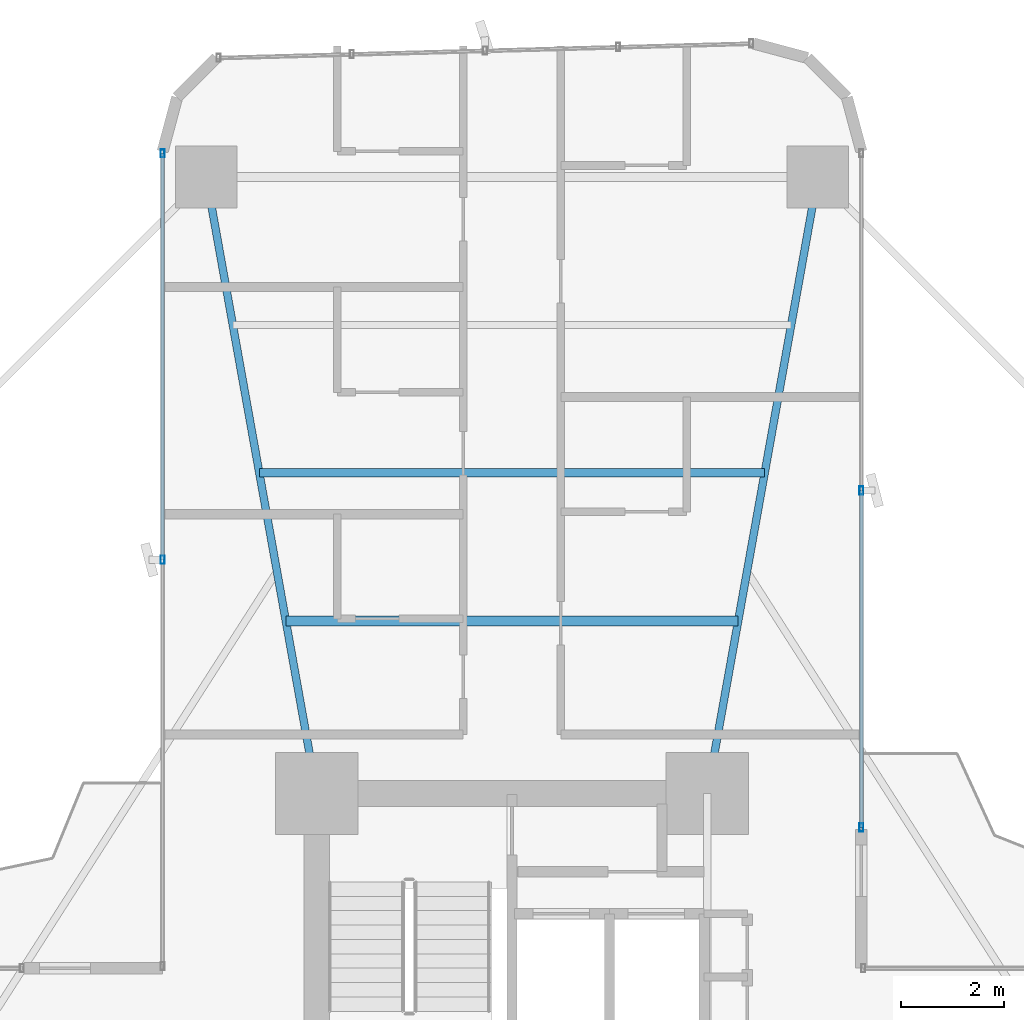
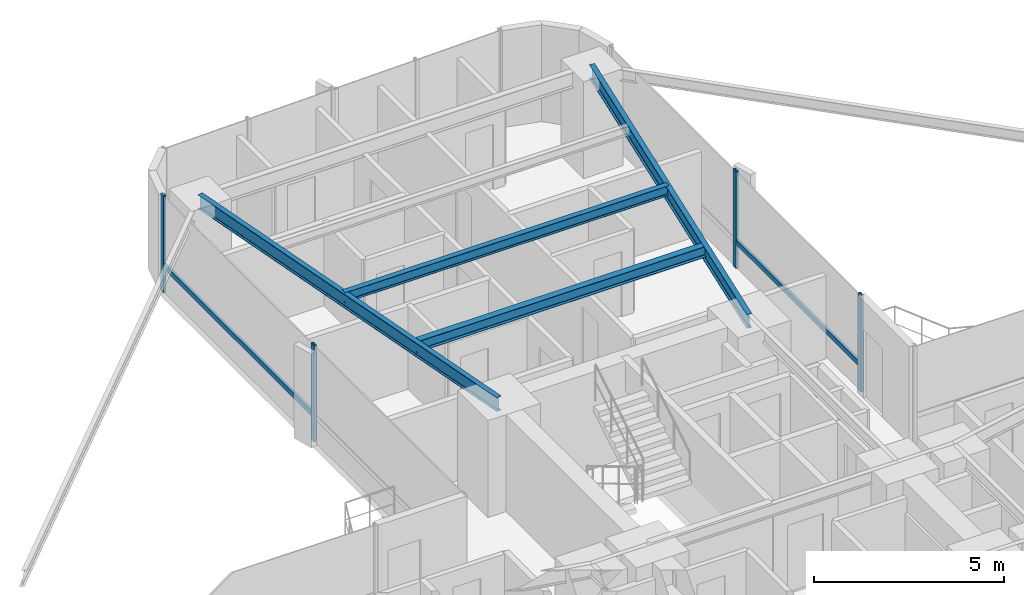
# One storey, part 18 of 26: 6 members, 4 beams, 2 elements without a shape of their own.
"""IFC4 building model written with IfcOpenShell, lengths in metres."""

from ifc_helpers import new_model, si_unit, direction, frame, origin, origin_2d, place, context, subcontext, project, spatial, hollow_rectangle, i_section, extrude, source, transform, mapped, material, material_profile, profile_set, type_object, element, aggregate, save


model = new_model("IFC4")

# Units and contexts
model_context = context("Model", 3, precision=1e-05, world=origin(), true_north=direction((0.0, 1.0)))
body_context = subcontext(model_context, "Body", "Model", "MODEL_VIEW")
ifc_project = project(units=[si_unit("LENGTHUNIT", "METRE"), si_unit("AREAUNIT", "SQUARE_METRE"), si_unit("VOLUMEUNIT", "CUBIC_METRE"), si_unit("PLANEANGLEUNIT", "RADIAN"), si_unit("MASSUNIT", "GRAM", prefix="KILO")], contexts=[model_context])

# Site, building, storey
site_placement = place(None, origin())
site = spatial("IfcSite", under=ifc_project, at=site_placement, CompositionType="ELEMENT")
building_placement = place(site_placement, origin())
building = spatial("IfcBuilding", under=site, at=building_placement, Name="Sahyath Konkavel Grand Hotel", CompositionType="ELEMENT")
storey_placement = place(building_placement, frame((0.0, 0.0, 61.10009765625)))
storey = spatial("IfcBuildingStorey", under=building, at=storey_placement, Name="L16", CompositionType="ELEMENT", Elevation=61.10009765625)

# Beams
ifc_material_1 = material(Name="Steel E350", Category="steel")
ifc_material_profile_1 = material_profile(ifc_material_1, i_section(OverallWidth=0.14990234375, OverallDepth=0.449951171875, WebThickness=0.009521484375, FlangeThickness=0.017333984375, FilletRadius=0.014892578125, at=origin_2d()), Name="ISMB 450")
ifc_profile_set_1 = profile_set([ifc_material_profile_1], Name="Steel E350")
beam_type_1 = type_object("IfcBeamType", Name="BM-ISMB450", PredefinedType="BEAM", material=ifc_profile_set_1)
shared_shape_1 = source(origin(), body_context, "Body", "SweptSolid", [
    extrude(i_section(OverallWidth=0.14990234375, OverallDepth=0.449951171875, WebThickness=0.009521484375, FlangeThickness=0.017333984375, FilletRadius=0.014892578125, at=origin_2d()), origin(), (0.0, 0.0, 1.0), 12.191162109375),
])
for number, where, z_axis, x_axis, name in (
    (1, (3.800048828125, 10.199951171875, 2.885009765625), (0.176350650305, 0.984327409014, 0.0), (-0.984327409014, 0.176350650305, 0.0), "L16 Cruciform Radial Girder NA"),
    (2, (-3.800048828125, 10.199951171875, 2.885009765625), (-0.176350650305, 0.984327409014, 0.0), (-0.984327409014, -0.176350650305, 0.0), "L16 Cruciform Radial Girder NB"),
):
    element("IfcBeam", number, at=place(storey_placement, frame(where, z_axis=z_axis, x_axis=x_axis)), inside=storey, type_object=beam_type_1, Name=name, PredefinedType="BEAM", context=body_context, shape_type="MappedRepresentation", body=[
        mapped(shared_shape_1, transform((0.0, 0.0, 0.0), scale=1.0)),
    ])
ifc_material_profile_2 = material_profile(ifc_material_1, i_section(OverallWidth=0.199951171875, OverallDepth=0.35009765625, WebThickness=0.008056640625, FlangeThickness=0.011474609375, FilletRadius=0.013916015625, at=origin_2d()), Name="ISWB 350")
ifc_profile_set_2 = profile_set([ifc_material_profile_2], Name="Steel E350")
beam_type_2 = type_object("IfcBeamType", Name="BM-ISWB350", PredefinedType="BEAM", material=ifc_profile_set_2)
shared_shape_2 = source(origin(), body_context, "Body", "SweptSolid", [
    extrude(i_section(OverallWidth=0.199951171875, OverallDepth=0.35009765625, WebThickness=0.008056640625, FlangeThickness=0.011474609375, FilletRadius=0.013916015625, at=origin_2d()), origin(), (0.0, 0.0, 1.0), 8.80419921875),
])
beam_1_placement = place(storey_placement, frame((4.402099609375, 13.56005859375, 2.934814453125), z_axis=(-1.0, 0.0, 0.0), x_axis=(0.0, -1.0, 0.0)))
element("IfcBeam", 3, at=beam_1_placement, inside=storey, type_object=beam_type_2, Name="L16 Secondary Floor Beam N-1", PredefinedType="BEAM", context=body_context, shape_type="MappedRepresentation", body=[
    mapped(shared_shape_2, transform((0.0, 0.0, 0.0), scale=1.0)),
])
ifc_material_profile_3 = material_profile(ifc_material_1, i_section(OverallWidth=0.1650390625, OverallDepth=0.324951171875, WebThickness=0.007080078125, FlangeThickness=0.009765625, FilletRadius=0.014892578125, at=origin_2d()), Name="ISLB 325")
ifc_profile_set_3 = profile_set([ifc_material_profile_3], Name="Steel E350")
beam_type_3 = type_object("IfcBeamType", Name="BM-ISLB325", PredefinedType="BEAM", material=ifc_profile_set_3)
shared_shape_3 = source(origin(), body_context, "Body", "SweptSolid", [
    extrude(i_section(OverallWidth=0.1650390625, OverallDepth=0.324951171875, WebThickness=0.007080078125, FlangeThickness=0.009765625, FilletRadius=0.014892578125, at=origin_2d()), origin(), (0.0, 0.0, 1.0), 9.8359375),
])
beam_2_placement = place(storey_placement, frame((4.91796875, 16.43994140625, 2.947509765625), z_axis=(-1.0, 0.0, 0.0), x_axis=(0.0, -1.0, 0.0)))
element("IfcBeam", 4, at=beam_2_placement, inside=storey, type_object=beam_type_3, Name="L16 Secondary Floor Beam N-2", PredefinedType="BEAM", context=body_context, shape_type="MappedRepresentation", body=[
    mapped(shared_shape_3, transform((0.0, 0.0, 0.0), scale=1.0)),
])

# Curtain wall, members
ifc_material_2 = material(Name="Anodised Bronze Aluminium & Low-E Glazing", Category="aluminium")
curtain_wall_type = type_object("IfcCurtainWallType", Name="CW-ZONE1", PredefinedType="NOTDEFINED", material=ifc_material_2)
curtain_wall_1_placement = place(storey_placement, origin())
curtain_wall_1 = element("IfcCurtainWall", 5, at=curtain_wall_1_placement, inside=storey, type_object=curtain_wall_type, Name="L16 Unitised Curtain Wall F8", PredefinedType="NOTDEFINED")
ifc_material_3 = material(Name="Anodised Bronze Aluminium", Category="aluminium")
ifc_material_profile_4 = material_profile(ifc_material_3, hollow_rectangle(XDim=0.080078125, YDim=0.159912109375, WallThickness=0.006103515625, at=origin_2d()), Name="RHS 160x80x6")
ifc_profile_set_4 = profile_set([ifc_material_profile_4], Name="Anodised Bronze Aluminium")
member_type_1 = type_object("IfcMemberType", Name="CW-MUL-160", PredefinedType="MULLION", material=ifc_profile_set_4)
shared_shape_4 = source(origin(), body_context, "Body", "SweptSolid", [
    extrude(hollow_rectangle(XDim=0.080078125, YDim=0.159912109375, WallThickness=0.006103515625, at=origin_2d()), origin(), (0.0, 0.0, 1.0), 3.10986328125),
])
member_1_placement = place(storey_placement, frame((6.800048828125, 9.5400390625, 0.0), z_axis=(0.0, 0.0, 1.0), x_axis=(1.0, 0.0, 0.0)))
member_1 = element("IfcMember", 6, at=member_1_placement, type_object=member_type_1, Name="L16 Curtain Wall Mullion F8-0", PredefinedType="MULLION", context=body_context, shape_type="MappedRepresentation", body=[
    mapped(shared_shape_4, transform((0.0, 0.0, 0.0), scale=1.0)),
])
member_2_placement = place(storey_placement, frame((6.800048828125, 16.10009765625, 0.0), z_axis=(0.0, 0.0, 1.0), x_axis=(1.0, 0.0, 0.0)))
member_2 = element("IfcMember", 7, at=member_2_placement, type_object=member_type_1, Name="L16 Curtain Wall Mullion F8-1", PredefinedType="MULLION", context=body_context, shape_type="MappedRepresentation", body=[
    mapped(shared_shape_4, transform((0.0, 0.0, 0.0), scale=1.0)),
])

curtain_wall_2_placement = place(storey_placement, origin())
curtain_wall_2 = element("IfcCurtainWall", 8, at=curtain_wall_2_placement, inside=storey, type_object=curtain_wall_type, Name="L16 Unitised Curtain Wall F15", PredefinedType="NOTDEFINED")
member_3_placement = place(storey_placement, frame((-6.800048828125, 22.659912109375, 0.0), z_axis=(0.0, 0.0, 1.0), x_axis=(1.0, 0.0, 0.0)))
member_3 = element("IfcMember", 9, at=member_3_placement, type_object=member_type_1, Name="L16 Curtain Wall Mullion F15-0", PredefinedType="MULLION", context=body_context, shape_type="MappedRepresentation", body=[
    mapped(shared_shape_4, transform((0.0, 0.0, 0.0), scale=1.0)),
])
member_4_placement = place(storey_placement, frame((-6.800048828125, 14.75, 0.0), z_axis=(0.0, 0.0, 1.0), x_axis=(1.0, 0.0, 0.0)))
member_4 = element("IfcMember", 10, at=member_4_placement, type_object=member_type_1, Name="L16 Curtain Wall Mullion F15-1", PredefinedType="MULLION", context=body_context, shape_type="MappedRepresentation", body=[
    mapped(shared_shape_4, transform((0.0, 0.0, 0.0), scale=1.0)),
])
ifc_material_profile_5 = material_profile(ifc_material_3, hollow_rectangle(XDim=0.080078125, YDim=0.159912109375, WallThickness=0.006103515625, at=origin_2d()), Name="RHS 160x80x6")
ifc_profile_set_5 = profile_set([ifc_material_profile_5], Name="Anodised Bronze Aluminium")
member_type_2 = type_object("IfcMemberType", Name="CW-TRN-160", PredefinedType="USERDEFINED", material=ifc_profile_set_5)
shared_shape_5 = source(origin(), body_context, "Body", "SweptSolid", [
    extrude(hollow_rectangle(XDim=0.080078125, YDim=0.159912109375, WallThickness=0.006103515625, at=origin_2d()), origin(), (0.0, 0.0, 1.0), 7.909912109375),
])
member_5_placement = place(storey_placement, frame((-6.800048828125, 22.659912109375, 0.849853515625), z_axis=(0.0, -1.0, 0.0), x_axis=(1.0, 0.0, 0.0)))
member_5 = element("IfcMember", 11, at=member_5_placement, type_object=member_type_2, Name="L16 Curtain Wall Transom F15-0-spandrel", ObjectType="TRANSOM", PredefinedType="USERDEFINED", context=body_context, shape_type="MappedRepresentation", body=[
    mapped(shared_shape_5, transform((0.0, 0.0, 0.0), scale=1.0)),
])
aggregate(curtain_wall_2, [member_3, member_4, member_5])

# Member
shared_shape_6 = source(origin(), body_context, "Body", "SweptSolid", [
    extrude(hollow_rectangle(XDim=0.080078125, YDim=0.159912109375, WallThickness=0.006103515625, at=origin_2d()), origin(), (0.0, 0.0, 1.0), 6.56005859375),
])
member_6_placement = place(storey_placement, frame((6.800048828125, 9.5400390625, 0.849853515625), z_axis=(0.0, 1.0, 0.0), x_axis=(-1.0, 0.0, 0.0)))
member_6 = element("IfcMember", 12, at=member_6_placement, type_object=member_type_2, Name="L16 Curtain Wall Transom F8-0-spandrel", ObjectType="TRANSOM", PredefinedType="USERDEFINED", context=body_context, shape_type="MappedRepresentation", body=[
    mapped(shared_shape_6, transform((0.0, 0.0, 0.0), scale=1.0)),
])

aggregate(curtain_wall_1, [member_1, member_2, member_6])

save(model, "model.ifc")
